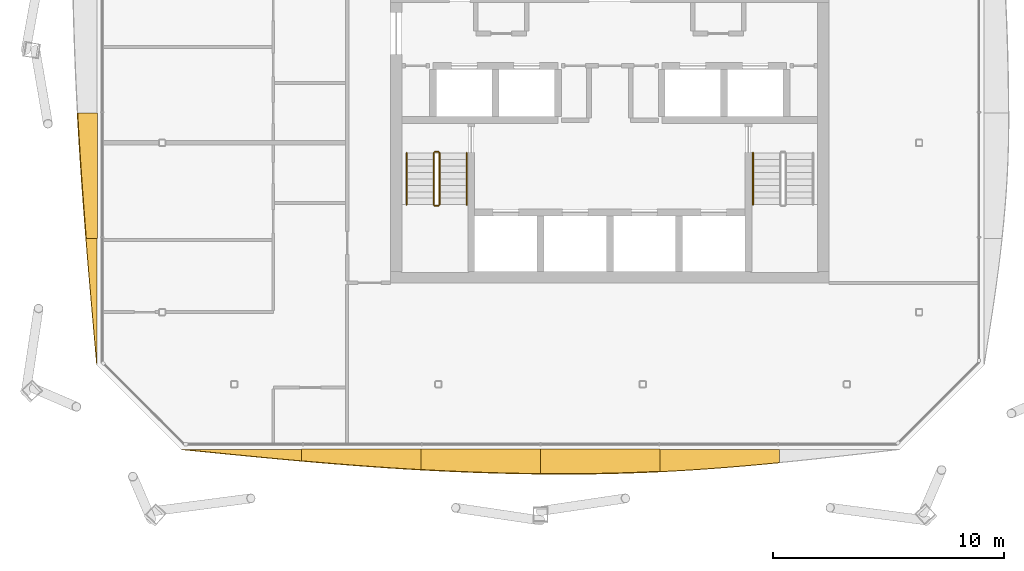
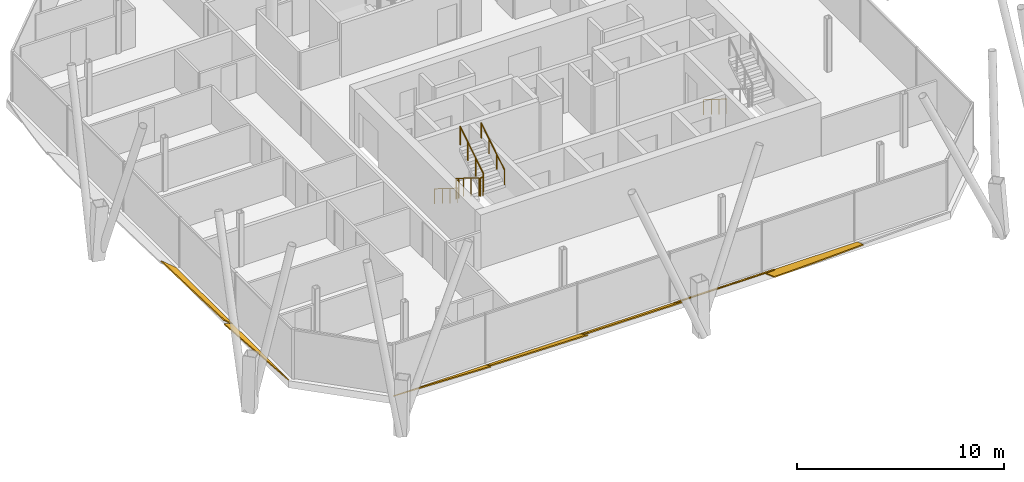
# One storey, part 15 of 18: 7 railings, 7 shading devices.
"""IFC4 building model written with IfcOpenShell, lengths in metres."""

from ifc_helpers import new_model, si_unit, direction, frame, origin, origin_2d, place, context, subcontext, project, spatial, polyline, circle, outline, extrude, material, layer, layer_set, type_object, element, save


model = new_model("IFC4")

# Units and contexts
model_context = context("Model", 3, precision=1e-05, world=origin(), true_north=direction((0.0, 1.0)))
body_context = subcontext(model_context, "Body", "Model", "MODEL_VIEW")
ifc_project = project(units=[si_unit("LENGTHUNIT", "METRE"), si_unit("AREAUNIT", "SQUARE_METRE"), si_unit("VOLUMEUNIT", "CUBIC_METRE"), si_unit("PLANEANGLEUNIT", "RADIAN"), si_unit("MASSUNIT", "GRAM", prefix="KILO")], contexts=[model_context])

# Site, building, storey
site_placement = place(None, origin())
site = spatial("IfcSite", under=ifc_project, at=site_placement, CompositionType="ELEMENT")
building_placement = place(site_placement, origin())
building = spatial("IfcBuilding", under=site, at=building_placement, Name="Tskaro Facet Tower", CompositionType="ELEMENT")
storey_placement = place(building_placement, frame((0.0, 0.0, 217.199951171875)))
storey = spatial("IfcBuildingStorey", under=building, at=storey_placement, Name="L55", CompositionType="ELEMENT", Elevation=217.199951171875)

# Shading devices
ifc_material_1 = material(Name="Bronze anodised aluminium 6063-T6", Category="aluminium")
ifc_layer = layer(ifc_material_1, 0.06005859375, Name="Bronze anodised aluminium 6063-T6")
ifc_layer_set = layer_set([ifc_layer], Name="Bronze anodised aluminium 6063-T6")
shading_device_type = type_object("IfcShadingDeviceType", Name="Bronze sun blade (FN1)", PredefinedType="USERDEFINED", material=ifc_layer_set)
shading_device_1_placement = place(storey_placement, frame((-18.5390625, -19.209716796875, 0.054443359375), z_axis=(-1.4590047e-05, 0.422661383614, 0.90628767761), x_axis=(0.999999999894, 6.166649e-06, 1.322278e-05)))
element("IfcShadingDevice", 1, at=shading_device_1_placement, inside=storey, type_object=shading_device_type, Name="Fin blade south 1", ObjectType="FIN", PredefinedType="USERDEFINED", context=body_context, shape_type="SweptSolid", body=[
    extrude(outline(polyline([(0.0, 0.0), (5.179687499448701, 4.387365968981259e-21), (5.179687500577434, -0.5514678949366395), (4.43969726558445, -0.47763403731943815), (3.6997070297228327, -0.4016173313242358), (2.9599609353402436, -0.32374222740546776), (2.219970704414952, -0.24411191437750376), (1.4799804683215971, -0.16350824998623453), (0.7399902350221427, -0.0819163502203348), (0.0, 0.0)])), origin(), (0.0, 0.0, -1.0), 0.06005859375),
])
shading_device_2_placement = place(storey_placement, frame((-13.359375, -19.205078125, 0.052001953125), z_axis=(-3.293313e-06, 0.500018495482, 0.866014725144), x_axis=(0.999999999995, 1.646717e-06, 2.852057e-06)))
element("IfcShadingDevice", 2, at=shading_device_2_placement, inside=storey, type_object=shading_device_type, Name="Fin blade south 2", ObjectType="FIN", PredefinedType="USERDEFINED", context=body_context, shape_type="SweptSolid", body=[
    extrude(outline(polyline([(0.0, 0.0), (5.1796874999719105, 0.0), (5.179687500110097, -1.0194208654070624), (4.439697265287066, -0.9688792249451714), (3.6997070310318287, -0.9136446116349213), (2.9599609375673515, -0.8539284548525687), (2.2199707035358793, -0.7902756881786268), (1.4799804688661078, -0.7225642367850965), (0.739990234146582, -0.6514611090804898), (7.360495526128245e-11, -0.5770883798928056), (0.0, 0.0)])), origin(), (0.0, 0.0, -1.0), 0.06005859375),
])
shading_device_3_placement = place(storey_placement, frame((-8.1796875, -19.20068359375, 0.04931640625), z_axis=(-2.9403995e-05, 0.573533985656, 0.819181766419), x_axis=(0.999999999568, 1.686419e-05, 2.4087217e-05)))
element("IfcShadingDevice", 3, at=shading_device_3_placement, inside=storey, type_object=shading_device_type, Name="Fin blade south 3", ObjectType="FIN", PredefinedType="USERDEFINED", context=body_context, shape_type="SweptSolid", body=[
    extrude(outline(polyline([(0.0, 0.0), (5.179687497760835, -8.774731937962518e-21), (5.179687502669468, -1.2929703987883125), (4.4396972651181486, -1.2803698973767945), (3.699707029935955, -1.2612691497109882), (2.959716794769089, -1.2362081698337288), (2.219970700242443, -1.2051869577450163), (1.4799804709868971, -1.1683455363906274), (0.7399902317487755, -1.1256038554275367), (-3.947151264799143e-09, -1.0775819792416044), (0.0, 0.0)])), origin(), (0.0, 0.0, -1.0), 0.06005859375),
])
shading_device_4_placement = place(storey_placement, frame((-3.0, -19.196533203125, 0.0458984375), z_axis=(7.202141e-06, 0.64289552718, 0.765953876601), x_axis=(0.999999999974, -4.630224e-06, -5.516508e-06)))
element("IfcShadingDevice", 4, at=shading_device_4_placement, inside=storey, type_object=shading_device_type, Name="Fin blade south 4", ObjectType="FIN", PredefinedType="USERDEFINED", context=body_context, shape_type="SweptSolid", body=[
    extrude(outline(polyline([(0.0, 0.0), (5.179687499865663, 0.0), (5.179687500561411, -1.2567132409691923), (4.4396972648447175, -1.3005393059720904), (3.6997070307134368, -1.335893349998996), (2.9597167970371427, -1.3625883725917496), (2.219970703310403, -1.380437373292192), (1.4799804682832303, -1.3894403521003227), (1.1188964843988873, -1.3906592246804188), (0.7399902350578481, -1.3896273525584821), (7.513753723840212e-11, -1.3826881179942245), (0.0, 0.0)])), origin(), (0.0, 0.0, -1.0), 0.06005859375),
])
shading_device_5_placement = place(storey_placement, frame((2.1796875, -19.214599609375, 0.056396484375), z_axis=(-1.0983141e-05, 0.342131070796, 0.939652239009), x_axis=(0.99999999994, 3.757674e-06, 1.0320333e-05)))
element("IfcShadingDevice", 5, at=shading_device_5_placement, inside=storey, type_object=shading_device_type, Name="Fin blade south 5", ObjectType="FIN", PredefinedType="USERDEFINED", context=body_context, shape_type="SweptSolid", body=[
    extrude(outline(polyline([(0.0, 0.0), (5.179687499687589, -2.1936829844906294e-21), (5.179687498542518, -0.6061225470860461), (4.439697266162242, -0.6812752303371825), (3.6997070317404925, -0.7519432930903114), (2.95971679619467, -0.8178973280605042), (2.219726562276976, -0.8784491133929764), (1.4799804690101857, -0.9332857137093388), (0.7399902344595171, -0.9818647863462735), (-1.6674456257916312e-09, -1.024415738588709), (0.0, 0.0)])), origin(), (0.0, 0.0, -1.0), 0.06005859375),
])
shading_device_6_placement = place(storey_placement, frame((-22.196533203125, -4.63818359375, 0.0458984375), z_axis=(0.642892285304, 1.232627e-06, 0.765956597657), x_axis=(7.92447e-07, -0.999999999999, 9.44139e-07)))
element("IfcShadingDevice", 6, at=shading_device_6_placement, inside=storey, type_object=shading_device_type, Name="Fin blade west 4", ObjectType="FIN", PredefinedType="USERDEFINED", context=body_context, shape_type="SweptSolid", body=[
    extrude(outline(polyline([(0.0, 0.0), (5.45043945312086, 0.0), (5.450439453104162, -0.6148371305640727), (4.769042968809628, -0.6850142605118541), (4.0878906251483915, -0.7532846031030751), (3.4064941405658797, -0.8188032877197597), (2.7250976561481, -0.881884226610592), (2.0439453124459823, -0.9418395052819376), (1.362548828016059, -0.998856124856272), (0.6813964844952662, -1.0525600830886446), (-2.0869064007631443e-11, -1.1028244688528468), (0.0, 0.0)])), origin(), (0.0, 0.0, -1.0), 0.06005859375),
])
shading_device_7_placement = place(storey_placement, frame((-22.214599609375, -10.088623046875, 0.056396484375), z_axis=(0.342415886365, 4.2903122e-05, 0.939548486734), x_axis=(1.4690711e-05, -0.99999999908, 4.0309563e-05)))
element("IfcShadingDevice", 7, at=shading_device_7_placement, inside=storey, type_object=shading_device_type, Name="Fin blade west 5", ObjectType="FIN", PredefinedType="USERDEFINED", context=body_context, shape_type="SweptSolid", body=[
    extrude(outline(polyline([(0.0, 0.0), (5.450439448108749, -9.233403587623171e-21), (4.76904296684703, -0.06472349099120497), (4.087890626210089, -0.12944698198240995), (3.4064941422803674, -0.19362811143507058), (2.7250976556826427, -0.25726687934918685), (2.0439453043736866, -0.31982092418621444), (1.3625488231997527, -0.3816868231583016), (0.6813964844877859, -0.4420092351433398), (-1.0026165376765181e-08, -0.5011633264227052), (0.0, 0.0)])), origin(), (0.0, 0.0, -1.0), 0.06005859375),
])

# Railings
ifc_material_2 = material(Name="Stainless steel", Category="steel")
railing_type_1 = type_object("IfcRailingType", Name="RL-GUARD-1100", PredefinedType="GUARDRAIL", material=ifc_material_2)
railing_1_placement = place(storey_placement, frame((-7.625, -6.375, 0.175048828125)))
element("IfcRailing", 8, at=railing_1_placement, inside=storey, type_object=railing_type_1, Name="L55 ST-1 stair guard 1", PredefinedType="GUARDRAIL", context=body_context, shape_type="SweptSolid", body=[
    extrude(circle(Radius=0.02392578125, at=origin_2d()), frame((0.0, 0.0, 1.076171875), z_axis=(0.0, -0.848013881152, 0.529974015752), x_axis=(1.0, 0.0, 0.0)), (0.0, 0.0, 1.0), 2.641357421875),
    extrude(circle(Radius=0.02099609375, at=origin_2d()), origin(), (0.0, 0.0, 1.0), 1.052001953125),
    extrude(circle(Radius=0.02099609375, at=origin_2d()), frame((0.0, -0.74658203125, 0.466552734375)), (0.0, 0.0, 1.0), 1.052001953125),
    extrude(circle(Radius=0.02099609375, at=origin_2d()), frame((0.0, -1.493408203125, 0.933349609375)), (0.0, 0.0, 1.0), 1.052001953125),
    extrude(circle(Radius=0.02099609375, at=origin_2d()), frame((0.0, -2.239990234375, 1.39990234375)), (0.0, 0.0, 1.0), 1.052001953125),
])
railing_2_placement = place(storey_placement, frame((-7.574951171875, -8.6650390625, 1.574951171875)))
element("IfcRailing", 9, at=railing_2_placement, inside=storey, type_object=railing_type_1, Name="L55 ST-1 stair guard 2", PredefinedType="GUARDRAIL", context=body_context, shape_type="SweptSolid", body=[
    extrude(circle(Radius=0.02392578125, at=origin_2d()), frame((0.0, 0.0, 1.076171875), z_axis=(1.0, 0.0, 0.0), x_axis=(0.0, 1.0, 0.0)), (0.0, 0.0, 1.0), 0.14990234375),
    extrude(circle(Radius=0.02099609375, at=origin_2d()), origin(), (0.0, 0.0, 1.0), 1.052001953125),
    extrude(circle(Radius=0.02099609375, at=origin_2d()), frame((0.14990234375, 0.0, 0.0)), (0.0, 0.0, 1.0), 1.052001953125),
])
railing_3_placement = place(storey_placement, frame((-7.375, -8.614990234375, 1.75)))
element("IfcRailing", 10, at=railing_3_placement, inside=storey, type_object=railing_type_1, Name="L55 ST-1 stair guard 3", PredefinedType="GUARDRAIL", context=body_context, shape_type="SweptSolid", body=[
    extrude(circle(Radius=0.02392578125, at=origin_2d()), frame((0.0, 0.0, 1.076171875), z_axis=(0.0, 0.847972341737, 0.530040477369), x_axis=(-1.0, 0.0, 0.0)), (0.0, 0.0, 1.0), 2.6416015625),
    extrude(circle(Radius=0.02099609375, at=origin_2d()), origin(), (0.0, 0.0, 1.0), 1.052001953125),
    extrude(circle(Radius=0.02099609375, at=origin_2d()), frame((0.0, 0.74658203125, 0.466796875)), (0.0, 0.0, 1.0), 1.052001953125),
    extrude(circle(Radius=0.02099609375, at=origin_2d()), frame((0.0, 1.493408203125, 0.933349609375)), (0.0, 0.0, 1.0), 1.052001953125),
    extrude(circle(Radius=0.02099609375, at=origin_2d()), frame((0.0, 2.239990234375, 1.400146484375)), (0.0, 0.0, 1.0), 1.052001953125),
])
railing_4_placement = place(storey_placement, frame((-7.574951171875, -6.324951171875, 0.0)))
element("IfcRailing", 11, at=railing_4_placement, inside=storey, type_object=railing_type_1, Name="L55 ST-1 stair guard 4", PredefinedType="GUARDRAIL", context=body_context, shape_type="SweptSolid", body=[
    extrude(circle(Radius=0.02392578125, at=origin_2d()), frame((0.0, 0.0, 1.076171875), z_axis=(1.0, 0.0, 0.0), x_axis=(0.0, 1.0, 0.0)), (0.0, 0.0, 1.0), 0.14990234375),
    extrude(circle(Radius=0.02099609375, at=origin_2d()), origin(), (0.0, 0.0, 1.0), 1.052001953125),
    extrude(circle(Radius=0.02099609375, at=origin_2d()), frame((0.14990234375, 0.0, 0.0)), (0.0, 0.0, 1.0), 1.052001953125),
])
railing_type_2 = type_object("IfcRailingType", Name="RL-HANDRAIL-900", PredefinedType="HANDRAIL", material=ifc_material_2)
railing_5_placement = place(storey_placement, frame((-8.800048828125, -6.375, 0.175048828125)))
element("IfcRailing", 12, at=railing_5_placement, inside=storey, type_object=railing_type_2, Name="L55 ST-1 stair handrail 1", PredefinedType="HANDRAIL", context=body_context, shape_type="SweptSolid", body=[
    extrude(circle(Radius=0.02392578125, at=origin_2d()), frame((0.0, 0.0, 0.8759765625), z_axis=(0.0, -0.848013881152, 0.529974015752), x_axis=(1.0, 0.0, 0.0)), (0.0, 0.0, 1.0), 2.641357421875),
    extrude(circle(Radius=0.02099609375, at=origin_2d()), origin(), (0.0, 0.0, 1.0), 0.851806640625),
    extrude(circle(Radius=0.02099609375, at=origin_2d()), frame((0.0, -0.74658203125, 0.466552734375)), (0.0, 0.0, 1.0), 0.851806640625),
    extrude(circle(Radius=0.02099609375, at=origin_2d()), frame((0.0, -1.493408203125, 0.933349609375)), (0.0, 0.0, 1.0), 0.851806640625),
    extrude(circle(Radius=0.02099609375, at=origin_2d()), frame((0.0, -2.239990234375, 1.39990234375)), (0.0, 0.0, 1.0), 0.851806640625),
])
railing_6_placement = place(storey_placement, frame((-6.199951171875, -8.614990234375, 1.75)))
element("IfcRailing", 13, at=railing_6_placement, inside=storey, type_object=railing_type_2, Name="L55 ST-1 stair handrail 2", PredefinedType="HANDRAIL", context=body_context, shape_type="SweptSolid", body=[
    extrude(circle(Radius=0.02392578125, at=origin_2d()), frame((0.0, 0.0, 0.8759765625), z_axis=(0.0, 0.847972341737, 0.530040477369), x_axis=(-1.0, 0.0, 0.0)), (0.0, 0.0, 1.0), 2.6416015625),
    extrude(circle(Radius=0.02099609375, at=origin_2d()), origin(), (0.0, 0.0, 1.0), 0.851806640625),
    extrude(circle(Radius=0.02099609375, at=origin_2d()), frame((0.0, 0.74658203125, 0.466796875)), (0.0, 0.0, 1.0), 0.851806640625),
    extrude(circle(Radius=0.02099609375, at=origin_2d()), frame((0.0, 1.493408203125, 0.933349609375)), (0.0, 0.0, 1.0), 0.851806640625),
    extrude(circle(Radius=0.02099609375, at=origin_2d()), frame((0.0, 2.239990234375, 1.400146484375)), (0.0, 0.0, 1.0), 0.851806640625),
])
railing_7_placement = place(storey_placement, frame((6.199951171875, -6.375, 0.175048828125)))
element("IfcRailing", 14, at=railing_7_placement, inside=storey, type_object=railing_type_2, Name="L55 ST-2 stair handrail 1", PredefinedType="HANDRAIL", context=body_context, shape_type="SweptSolid", body=[
    extrude(circle(Radius=0.02392578125, at=origin_2d()), frame((0.0, 0.0, 0.8759765625), z_axis=(0.0, -0.848013881152, 0.529974015752), x_axis=(1.0, 0.0, 0.0)), (0.0, 0.0, 1.0), 2.641357421875),
    extrude(circle(Radius=0.02099609375, at=origin_2d()), origin(), (0.0, 0.0, 1.0), 0.851806640625),
    extrude(circle(Radius=0.02099609375, at=origin_2d()), frame((0.0, -0.74658203125, 0.466552734375)), (0.0, 0.0, 1.0), 0.851806640625),
    extrude(circle(Radius=0.02099609375, at=origin_2d()), frame((0.0, -1.493408203125, 0.933349609375)), (0.0, 0.0, 1.0), 0.851806640625),
    extrude(circle(Radius=0.02099609375, at=origin_2d()), frame((0.0, -2.239990234375, 1.39990234375)), (0.0, 0.0, 1.0), 0.851806640625),
])

save(model, "model.ifc")
